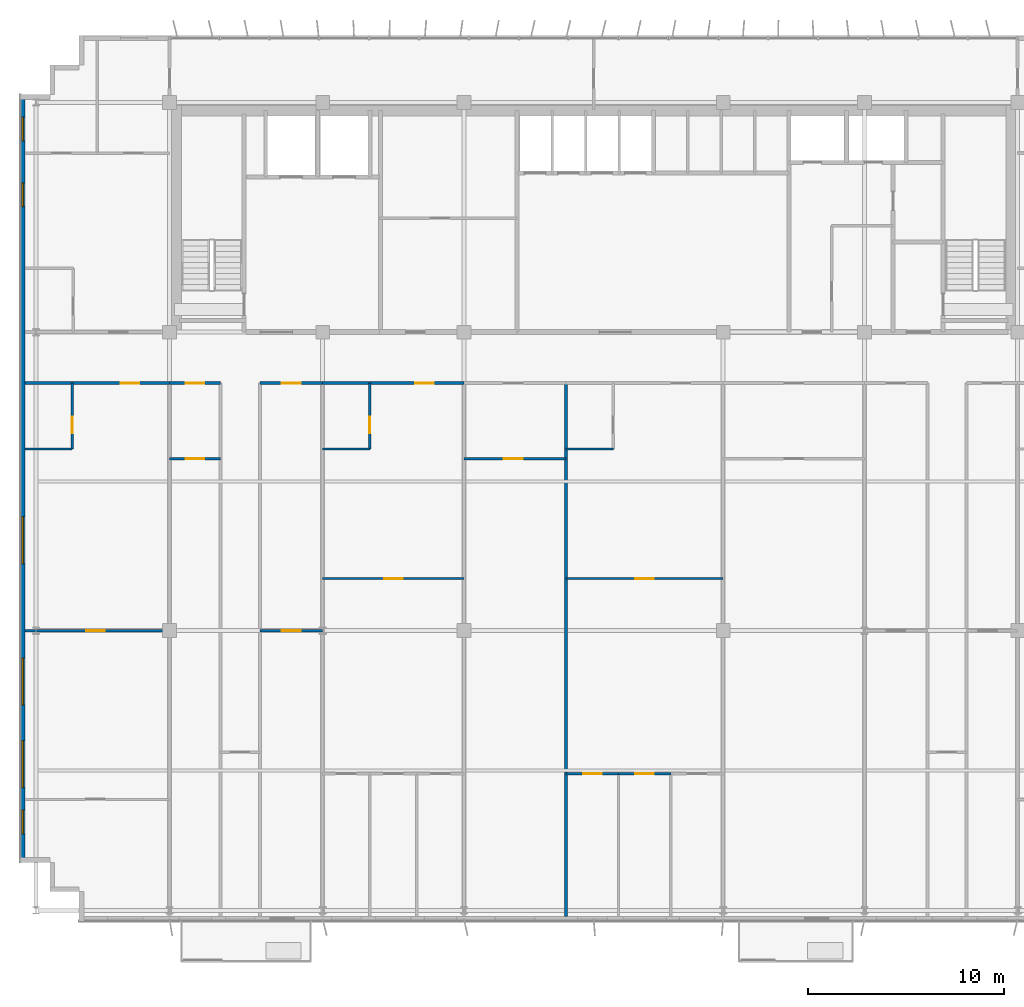
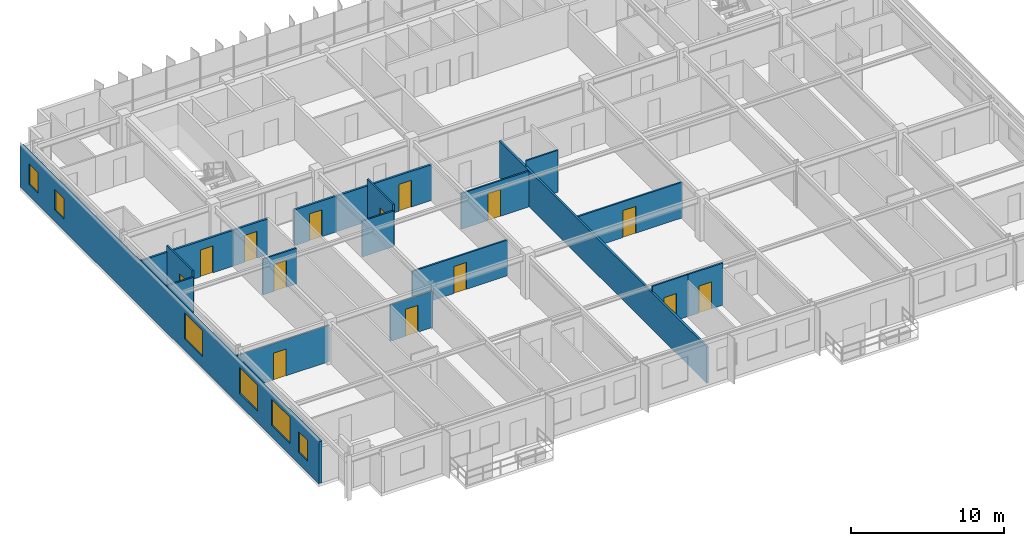
# One storey, part 17 of 23: 19 walls, 14 doors, 6 windows, 20 openings.
"""IFC4 building model written with IfcOpenShell, lengths in metres."""

from ifc_helpers import new_model, si_unit, direction, frame, frame_2d, origin, place, context, subcontext, project, spatial, rectangle, extrude, source, transform, mapped, material, layer, layer_set, type_object, element, fill, save


model = new_model("IFC4")

# Units and contexts
model_context = context("Model", 3, precision=1e-05, world=origin(), true_north=direction((0.0, 1.0)))
body_context = subcontext(model_context, "Body", "Model", "MODEL_VIEW")
ifc_project = project(units=[si_unit("LENGTHUNIT", "METRE"), si_unit("AREAUNIT", "SQUARE_METRE"), si_unit("VOLUMEUNIT", "CUBIC_METRE"), si_unit("PLANEANGLEUNIT", "RADIAN"), si_unit("MASSUNIT", "GRAM", prefix="KILO")], contexts=[model_context])

# Site, building, storey
site_placement = place(None, origin())
site = spatial("IfcSite", under=ifc_project, at=site_placement, CompositionType="ELEMENT")
building_placement = place(site_placement, origin())
building = spatial("IfcBuilding", under=site, at=building_placement, Name="Trelvane Seafront Commons", CompositionType="ELEMENT")
storey_placement = place(building_placement, frame((0.0, 0.0, 212.10009765625)))
storey = spatial("IfcBuildingStorey", under=building, at=storey_placement, Name="L55", CompositionType="ELEMENT", Elevation=212.10009765625)

# Wall, openings, windows
ifc_material_1 = material(Name="Precast concrete C40/50", Category="concrete")
ifc_layer_1 = layer(ifc_material_1, 0.239990234375, Name="ARCH-WALL-EXT240")
ifc_layer_set_1 = layer_set([ifc_layer_1], Name="Precast concrete C40/50")
wall_type_1 = type_object("IfcWallType", Name="ARCH-WALL-EXT240", PredefinedType="SOLIDWALL", material=ifc_layer_set_1)
wall_1_placement = place(storey_placement, frame((8.1201171875, 6.39990234375, 0.0), z_axis=(0.0, 0.0, 1.0), x_axis=(0.0, 1.0, 0.0)))
wall_1 = element("IfcWall", 1, at=wall_1_placement, inside=storey, type_object=wall_type_1, Name="EW-L55-01104", PredefinedType="SOLIDWALL", context=body_context, shape_type="SweptSolid", body=[
    extrude(rectangle(XDim=39.10009765625, YDim=0.239990234375, at=frame_2d((19.550048828125, 0.0))), origin(), (0.0, 0.0, 1.0), 3.35986328125),
])
opening_1_placement = place(wall_1_placement, frame((1.449951171875, 0.0, 0.919921875)))
opening_1 = element("IfcOpeningElement", 2, at=opening_1_placement, cuts=wall_1, Name="Opening W05", PredefinedType="OPENING", context=body_context, shape_type="SweptSolid", body=[
    extrude(rectangle(XDim=1.199951171875, YDim=1.64990234375, at=frame_2d((0.60009765625, 0.824951171875))), frame((0.0, 0.1298828125, 0.0), z_axis=(0.0, -1.0, 0.0), x_axis=(1.0, 0.0, 0.0)), (0.0, 0.0, 1.0), 0.260009765625),
])
opening_2_placement = place(wall_1_placement, frame((3.800048828125, 0.0, 0.919921875)))
opening_2 = element("IfcOpeningElement", 3, at=opening_2_placement, cuts=wall_1, Name="Opening W08", PredefinedType="OPENING", context=body_context, shape_type="SweptSolid", body=[
    extrude(rectangle(XDim=2.39990234375, YDim=2.10009765625, at=frame_2d((1.199951171875, 1.050048828125))), frame((0.0, 0.1298828125, 0.0), z_axis=(0.0, -1.0, 0.0), x_axis=(1.0, 0.0, 0.0)), (0.0, 0.0, 1.0), 0.260009765625),
])
opening_3_placement = place(wall_1_placement, frame((8.0, 0.0, 0.919921875)))
opening_3 = element("IfcOpeningElement", 4, at=opening_3_placement, cuts=wall_1, Name="Opening W08", PredefinedType="OPENING", context=body_context, shape_type="SweptSolid", body=[
    extrude(rectangle(XDim=2.39990234375, YDim=2.10009765625, at=frame_2d((1.199951171875, 1.050048828125))), frame((0.0, 0.1298828125, 0.0), z_axis=(0.0, -1.0, 0.0), x_axis=(1.0, 0.0, 0.0)), (0.0, 0.0, 1.0), 0.260009765625),
])
opening_4_placement = place(wall_1_placement, frame((15.199951171875, 0.0, 0.919921875)))
opening_4 = element("IfcOpeningElement", 5, at=opening_4_placement, cuts=wall_1, Name="Opening W08", PredefinedType="OPENING", context=body_context, shape_type="SweptSolid", body=[
    extrude(rectangle(XDim=2.39990234375, YDim=2.10009765625, at=frame_2d((1.199951171875, 1.050048828125))), frame((0.0, 0.1298828125, 0.0), z_axis=(0.0, -1.0, 0.0), x_axis=(1.0, 0.0, 0.0)), (0.0, 0.0, 1.0), 0.260009765625),
])
opening_5_placement = place(wall_1_placement, frame((33.39990234375, 0.0, 0.919921875)))
opening_5 = element("IfcOpeningElement", 6, at=opening_5_placement, cuts=wall_1, Name="Opening W05", PredefinedType="OPENING", context=body_context, shape_type="SweptSolid", body=[
    extrude(rectangle(XDim=1.199951171875, YDim=1.64990234375, at=frame_2d((0.60009765625, 0.824951171875))), frame((0.0, 0.1298828125, 0.0), z_axis=(0.0, -1.0, 0.0), x_axis=(1.0, 0.0, 0.0)), (0.0, 0.0, 1.0), 0.260009765625),
])
opening_6_placement = place(wall_1_placement, frame((36.75, 0.0, 0.919921875)))
opening_6 = element("IfcOpeningElement", 7, at=opening_6_placement, cuts=wall_1, Name="Opening W05", PredefinedType="OPENING", context=body_context, shape_type="SweptSolid", body=[
    extrude(rectangle(XDim=1.199951171875, YDim=1.64990234375, at=frame_2d((0.60009765625, 0.824951171875))), frame((0.0, 0.1298828125, 0.0), z_axis=(0.0, -1.0, 0.0), x_axis=(1.0, 0.0, 0.0)), (0.0, 0.0, 1.0), 0.260009765625),
])
ifc_material_2 = material(Name="Low-E coastal double glazing", Category="glass")
window_type_1 = type_object("IfcWindowType", Name="ARCH-WIN-W08", PartitioningType="SINGLE_PANEL", PredefinedType="WINDOW", material=ifc_material_2)
shared_shape_1 = source(origin(), body_context, "Body", "SweptSolid", [
    extrude(rectangle(XDim=2.39990234375, YDim=2.10009765625, at=frame_2d((1.199951171875, 1.050048828125))), frame((0.0, 0.030029296875, 0.0), z_axis=(0.0, -1.0, 0.0), x_axis=(1.0, 0.0, 0.0)), (0.0, 0.0, 1.0), 0.06005859375),
])
window_1_placement = place(opening_2_placement, origin())
window_1 = element("IfcWindow", 8, at=window_1_placement, inside=storey, type_object=window_type_1, Name="WIN-L55-EW-01332", OverallHeight=2.10009765625, OverallWidth=2.39990234375, PartitioningType="SINGLE_PANEL", PredefinedType="WINDOW", context=body_context, shape_type="MappedRepresentation", body=[
    mapped(shared_shape_1, transform((0.0, 0.0, 0.0), x_axis=(1.0, 0.0, 0.0), y_axis=(0.0, 1.0, 0.0), z_axis=(0.0, 0.0, 1.0), scale=1.0)),
])
fill(opening_2, window_1)
window_2_placement = place(opening_3_placement, origin())
window_2 = element("IfcWindow", 9, at=window_2_placement, inside=storey, type_object=window_type_1, Name="WIN-L55-EW-01333", OverallHeight=2.10009765625, OverallWidth=2.39990234375, PartitioningType="SINGLE_PANEL", PredefinedType="WINDOW", context=body_context, shape_type="MappedRepresentation", body=[
    mapped(shared_shape_1, transform((0.0, 0.0, 0.0), x_axis=(1.0, 0.0, 0.0), y_axis=(0.0, 1.0, 0.0), z_axis=(0.0, 0.0, 1.0), scale=1.0)),
])
fill(opening_3, window_2)
window_3_placement = place(opening_4_placement, origin())
window_3 = element("IfcWindow", 10, at=window_3_placement, inside=storey, type_object=window_type_1, Name="WIN-L55-EW-01334", OverallHeight=2.10009765625, OverallWidth=2.39990234375, PartitioningType="SINGLE_PANEL", PredefinedType="WINDOW", context=body_context, shape_type="MappedRepresentation", body=[
    mapped(shared_shape_1, transform((0.0, 0.0, 0.0), x_axis=(1.0, 0.0, 0.0), y_axis=(0.0, 1.0, 0.0), z_axis=(0.0, 0.0, 1.0), scale=1.0)),
])
fill(opening_4, window_3)
window_type_2 = type_object("IfcWindowType", Name="ARCH-WIN-W05", PartitioningType="SINGLE_PANEL", PredefinedType="WINDOW", material=ifc_material_2)
shared_shape_2 = source(origin(), body_context, "Body", "SweptSolid", [
    extrude(rectangle(XDim=1.199951171875, YDim=1.64990234375, at=frame_2d((0.60009765625, 0.824951171875))), frame((0.0, 0.030029296875, 0.0), z_axis=(0.0, -1.0, 0.0), x_axis=(1.0, 0.0, 0.0)), (0.0, 0.0, 1.0), 0.06005859375),
])
window_4_placement = place(opening_1_placement, origin())
window_4 = element("IfcWindow", 11, at=window_4_placement, inside=storey, type_object=window_type_2, Name="WIN-L55-EW-01331", OverallHeight=1.64990234375, OverallWidth=1.199951171875, PartitioningType="SINGLE_PANEL", PredefinedType="WINDOW", context=body_context, shape_type="MappedRepresentation", body=[
    mapped(shared_shape_2, transform((0.0, 0.0, 0.0), x_axis=(1.0, 0.0, 0.0), y_axis=(0.0, 1.0, 0.0), z_axis=(0.0, 0.0, 1.0), scale=1.0)),
])
fill(opening_1, window_4)
window_5_placement = place(opening_5_placement, origin())
window_5 = element("IfcWindow", 12, at=window_5_placement, inside=storey, type_object=window_type_2, Name="WIN-L55-EW-01335", OverallHeight=1.64990234375, OverallWidth=1.199951171875, PartitioningType="SINGLE_PANEL", PredefinedType="WINDOW", context=body_context, shape_type="MappedRepresentation", body=[
    mapped(shared_shape_2, transform((0.0, 0.0, 0.0), x_axis=(1.0, 0.0, 0.0), y_axis=(0.0, 1.0, 0.0), z_axis=(0.0, 0.0, 1.0), scale=1.0)),
])
fill(opening_5, window_5)
window_6_placement = place(opening_6_placement, origin())
window_6 = element("IfcWindow", 13, at=window_6_placement, inside=storey, type_object=window_type_2, Name="WIN-L55-EW-01336", OverallHeight=1.64990234375, OverallWidth=1.199951171875, PartitioningType="SINGLE_PANEL", PredefinedType="WINDOW", context=body_context, shape_type="MappedRepresentation", body=[
    mapped(shared_shape_2, transform((0.0, 0.0, 0.0), x_axis=(1.0, 0.0, 0.0), y_axis=(0.0, 1.0, 0.0), z_axis=(0.0, 0.0, 1.0), scale=1.0)),
])
fill(opening_6, window_6)

# Wall, opening, door
ifc_material_3 = material(Name="Gypsum Drywall Acoustic Partition")
ifc_layer_2 = layer(ifc_material_3, 0.1201171875, Name="ARCH-WALL-PART120")
ifc_layer_set_2 = layer_set([ifc_layer_2], Name="Gypsum Drywall Acoustic Partition")
wall_type_2 = type_object("IfcWallType", Name="ARCH-WALL-PART120", PredefinedType="PARTITIONING", material=ifc_layer_set_2)
wall_2_placement = place(storey_placement, frame((8.239990234375, 18.199951171875, 0.0), z_axis=(0.0, 0.0, 1.0), x_axis=(1.0, 0.0, 0.0)))
wall_2 = element("IfcWall", 14, at=wall_2_placement, inside=storey, type_object=wall_type_2, Name="W-L55-U1-KL-058", PredefinedType="PARTITIONING", context=body_context, shape_type="SweptSolid", body=[
    extrude(rectangle(XDim=7.360107421875, YDim=0.1201171875, at=frame_2d((3.68017578125, 0.0))), origin(), (0.0, 0.0, 1.0), 2.909912109375),
])
opening_7_placement = place(wall_2_placement, frame((3.114013671875, 0.0, 0.0)))
opening_7 = element("IfcOpeningElement", 15, at=opening_7_placement, cuts=wall_2, Name="Opening D-L55-30", PredefinedType="OPENING", context=body_context, shape_type="SweptSolid", body=[
    extrude(rectangle(XDim=0.949951171875, YDim=2.14990234375, at=frame_2d((0.47509765625, 1.074951171875))), frame((0.0, 0.070068359375, 0.0), z_axis=(0.0, -1.0, 0.0), x_axis=(1.0, 0.0, 0.0)), (0.0, 0.0, 1.0), 0.14013671875),
])
ifc_material_4 = material(Name="Acoustic timber door leaf", Category="wood")
door_type_1 = type_object("IfcDoorType", Name="ARCH-DR-INT950", OperationType="NOTDEFINED", PredefinedType="DOOR", material=ifc_material_4)
shared_shape_3 = source(origin(), body_context, "Body", "SweptSolid", [
    extrude(rectangle(XDim=0.949951171875, YDim=2.14990234375, at=frame_2d((0.47509765625, 1.074951171875))), frame((0.0, 0.02490234375, 0.0), z_axis=(0.0, -1.0, 0.0), x_axis=(1.0, 0.0, 0.0)), (0.0, 0.0, 1.0), 0.050048828125),
])
door_1_placement = place(opening_7_placement, origin())
door_1 = element("IfcDoor", 16, at=door_1_placement, inside=storey, type_object=door_type_1, Name="L55 Door 30", OperationType="SINGLE_SWING_RIGHT", OverallHeight=2.14990234375, OverallWidth=0.949951171875, PredefinedType="DOOR", context=body_context, shape_type="MappedRepresentation", body=[
    mapped(shared_shape_3, transform((0.0, 0.0, 0.0), x_axis=(1.0, 0.0, 0.0), y_axis=(0.0, 1.0, 0.0), z_axis=(0.0, 0.0, 1.0), scale=1.0)),
])
fill(opening_7, door_1)

wall_3_placement = place(storey_placement, frame((10.639892578125, 27.449951171875, 0.0), z_axis=(0.0, 0.0, 1.0), x_axis=(0.0, 1.0, 0.0)))
wall_3 = element("IfcWall", 17, at=wall_3_placement, inside=storey, type_object=wall_type_2, Name="W-L55-U1-BE-059", PredefinedType="PARTITIONING", context=body_context, shape_type="SweptSolid", body=[
    extrude(rectangle(XDim=3.35009765625, YDim=0.1201171875, at=frame_2d((1.675048828125, 0.0))), origin(), (0.0, 0.0, 1.0), 3.35986328125),
])
opening_8_placement = place(wall_3_placement, frame((0.800048828125, 0.0, 0.0)))
opening_8 = element("IfcOpeningElement", 18, at=opening_8_placement, cuts=wall_3, Name="Opening D-L55-31", PredefinedType="OPENING", context=body_context, shape_type="SweptSolid", body=[
    extrude(rectangle(XDim=0.85009765625, YDim=2.10009765625, at=frame_2d((0.425048828125, 1.050048828125))), frame((0.0, 0.070068359375, 0.0), z_axis=(0.0, -1.0, 0.0), x_axis=(1.0, 0.0, 0.0)), (0.0, 0.0, 1.0), 0.14013671875),
])
door_type_2 = type_object("IfcDoorType", Name="ARCH-DR-INT850", OperationType="NOTDEFINED", PredefinedType="DOOR", material=ifc_material_4)
shared_shape_4 = source(origin(), body_context, "Body", "SweptSolid", [
    extrude(rectangle(XDim=0.85009765625, YDim=2.10009765625, at=frame_2d((0.425048828125, 1.050048828125))), frame((0.0, 0.02490234375, 0.0), z_axis=(0.0, -1.0, 0.0), x_axis=(1.0, 0.0, 0.0)), (0.0, 0.0, 1.0), 0.050048828125),
])
door_2_placement = place(opening_8_placement, origin())
door_2 = element("IfcDoor", 19, at=door_2_placement, inside=storey, type_object=door_type_2, Name="L55 Door 31", OperationType="SINGLE_SWING_LEFT", OverallHeight=2.10009765625, OverallWidth=0.85009765625, PredefinedType="DOOR", context=body_context, shape_type="MappedRepresentation", body=[
    mapped(shared_shape_4, transform((0.0, 0.0, 0.0), x_axis=(1.0, 0.0, 0.0), y_axis=(0.0, 1.0, 0.0), z_axis=(0.0, 0.0, 1.0), scale=1.0)),
])
fill(opening_8, door_2)

# Wall
wall_4_placement = place(storey_placement, frame((8.239990234375, 27.449951171875, 0.0), z_axis=(0.0, 0.0, 1.0), x_axis=(1.0, 0.0, 0.0)))
element("IfcWall", 20, at=wall_4_placement, inside=storey, type_object=wall_type_2, Name="W-L55-U1-BS-060", PredefinedType="PARTITIONING", context=body_context, shape_type="SweptSolid", body=[
    extrude(rectangle(XDim=2.39990234375, YDim=0.1201171875, at=frame_2d((1.199951171875, 0.0))), origin(), (0.0, 0.0, 1.0), 2.85986328125),
])

# Wall, opening, door
wall_5_placement = place(storey_placement, frame((15.60009765625, 26.949951171875, 0.0), z_axis=(0.0, 0.0, 1.0), x_axis=(1.0, 0.0, 0.0)))
wall_5 = element("IfcWall", 21, at=wall_5_placement, inside=storey, type_object=wall_type_2, Name="W-L55-U2-DIV-064", PredefinedType="PARTITIONING", context=body_context, shape_type="SweptSolid", body=[
    extrude(rectangle(XDim=2.599853515625, YDim=0.1201171875, at=frame_2d((1.2998046875, 0.0))), origin(), (0.0, 0.0, 1.0), 2.85986328125),
])
opening_9_placement = place(wall_5_placement, frame((0.824951171875, 0.0, 0.0)))
opening_9 = element("IfcOpeningElement", 22, at=opening_9_placement, cuts=wall_5, Name="Opening D-L55-35", PredefinedType="OPENING", context=body_context, shape_type="SweptSolid", body=[
    extrude(rectangle(XDim=0.949951171875, YDim=2.14990234375, at=frame_2d((0.47509765625, 1.074951171875))), frame((0.0, 0.070068359375, 0.0), z_axis=(0.0, -1.0, 0.0), x_axis=(1.0, 0.0, 0.0)), (0.0, 0.0, 1.0), 0.14013671875),
])
door_3_placement = place(opening_9_placement, origin())
door_3 = element("IfcDoor", 23, at=door_3_placement, inside=storey, type_object=door_type_1, Name="L55 Door 35", OperationType="SINGLE_SWING_LEFT", OverallHeight=2.14990234375, OverallWidth=0.949951171875, PredefinedType="DOOR", context=body_context, shape_type="MappedRepresentation", body=[
    mapped(shared_shape_3, transform((0.0, 0.0, 0.0), x_axis=(1.0, 0.0, 0.0), y_axis=(0.0, 1.0, 0.0), z_axis=(0.0, 0.0, 1.0), scale=1.0)),
])
fill(opening_9, door_3)

wall_6_placement = place(storey_placement, frame((20.199951171875, 18.199951171875, 0.0), z_axis=(0.0, 0.0, 1.0), x_axis=(1.0, 0.0, 0.0)))
wall_6 = element("IfcWall", 24, at=wall_6_placement, inside=storey, type_object=wall_type_2, Name="W-L55-U4-DIV-069", PredefinedType="PARTITIONING", context=body_context, shape_type="SweptSolid", body=[
    extrude(rectangle(XDim=3.199951171875, YDim=0.1201171875, at=frame_2d((1.60009765625, 0.0))), origin(), (0.0, 0.0, 1.0), 2.909912109375),
])
opening_10_placement = place(wall_6_placement, frame((1.125, 0.0, 0.0)))
opening_10 = element("IfcOpeningElement", 25, at=opening_10_placement, cuts=wall_6, Name="Opening D-L55-38", PredefinedType="OPENING", context=body_context, shape_type="SweptSolid", body=[
    extrude(rectangle(XDim=0.949951171875, YDim=2.14990234375, at=frame_2d((0.47509765625, 1.074951171875))), frame((0.0, 0.070068359375, 0.0), z_axis=(0.0, -1.0, 0.0), x_axis=(1.0, 0.0, 0.0)), (0.0, 0.0, 1.0), 0.14013671875),
])
door_4_placement = place(opening_10_placement, origin())
door_4 = element("IfcDoor", 26, at=door_4_placement, inside=storey, type_object=door_type_1, Name="L55 Door 38", OperationType="SINGLE_SWING_RIGHT", OverallHeight=2.14990234375, OverallWidth=0.949951171875, PredefinedType="DOOR", context=body_context, shape_type="MappedRepresentation", body=[
    mapped(shared_shape_3, transform((0.0, 0.0, 0.0), x_axis=(1.0, 0.0, 0.0), y_axis=(0.0, 1.0, 0.0), z_axis=(0.0, 0.0, 1.0), scale=1.0)),
])
fill(opening_10, door_4)

wall_7_placement = place(storey_placement, frame((23.39990234375, 20.85009765625, 0.0), z_axis=(0.0, 0.0, 1.0), x_axis=(1.0, 0.0, 0.0)))
wall_7 = element("IfcWall", 27, at=wall_7_placement, inside=storey, type_object=wall_type_2, Name="W-L55-U5-KL-070", PredefinedType="PARTITIONING", context=body_context, shape_type="SweptSolid", body=[
    extrude(rectangle(XDim=7.2001953125, YDim=0.1201171875, at=frame_2d((3.60009765625, 0.0))), origin(), (0.0, 0.0, 1.0), 2.85986328125),
])
opening_11_placement = place(wall_7_placement, frame((3.125, 0.0, 0.0)))
opening_11 = element("IfcOpeningElement", 28, at=opening_11_placement, cuts=wall_7, Name="Opening D-L55-39", PredefinedType="OPENING", context=body_context, shape_type="SweptSolid", body=[
    extrude(rectangle(XDim=0.949951171875, YDim=2.14990234375, at=frame_2d((0.47509765625, 1.074951171875))), frame((0.0, 0.070068359375, 0.0), z_axis=(0.0, -1.0, 0.0), x_axis=(1.0, 0.0, 0.0)), (0.0, 0.0, 1.0), 0.14013671875),
])
door_5_placement = place(opening_11_placement, origin())
door_5 = element("IfcDoor", 29, at=door_5_placement, inside=storey, type_object=door_type_1, Name="L55 Door 39", OperationType="SINGLE_SWING_LEFT", OverallHeight=2.14990234375, OverallWidth=0.949951171875, PredefinedType="DOOR", context=body_context, shape_type="MappedRepresentation", body=[
    mapped(shared_shape_3, transform((0.0, 0.0, 0.0), x_axis=(1.0, 0.0, 0.0), y_axis=(0.0, 1.0, 0.0), z_axis=(0.0, 0.0, 1.0), scale=1.0)),
])
fill(opening_11, door_5)

wall_8_placement = place(storey_placement, frame((25.800048828125, 27.449951171875, 0.0), z_axis=(0.0, 0.0, 1.0), x_axis=(0.0, 1.0, 0.0)))
wall_8 = element("IfcWall", 30, at=wall_8_placement, inside=storey, type_object=wall_type_2, Name="W-L55-U5-BE-071", PredefinedType="PARTITIONING", context=body_context, shape_type="SweptSolid", body=[
    extrude(rectangle(XDim=3.35009765625, YDim=0.1201171875, at=frame_2d((1.675048828125, 0.0))), origin(), (0.0, 0.0, 1.0), 3.35986328125),
])
opening_12_placement = place(wall_8_placement, frame((0.800048828125, 0.0, 0.0)))
opening_12 = element("IfcOpeningElement", 31, at=opening_12_placement, cuts=wall_8, Name="Opening D-L55-40", PredefinedType="OPENING", context=body_context, shape_type="SweptSolid", body=[
    extrude(rectangle(XDim=0.85009765625, YDim=2.10009765625, at=frame_2d((0.425048828125, 1.050048828125))), frame((0.0, 0.070068359375, 0.0), z_axis=(0.0, -1.0, 0.0), x_axis=(1.0, 0.0, 0.0)), (0.0, 0.0, 1.0), 0.14013671875),
])
door_6_placement = place(opening_12_placement, origin())
door_6 = element("IfcDoor", 32, at=door_6_placement, inside=storey, type_object=door_type_2, Name="L55 Door 40", OperationType="SINGLE_SWING_RIGHT", OverallHeight=2.10009765625, OverallWidth=0.85009765625, PredefinedType="DOOR", context=body_context, shape_type="MappedRepresentation", body=[
    mapped(shared_shape_4, transform((0.0, 0.0, 0.0), x_axis=(1.0, 0.0, 0.0), y_axis=(0.0, 1.0, 0.0), z_axis=(0.0, 0.0, 1.0), scale=1.0)),
])
fill(opening_12, door_6)

# Wall
wall_9_placement = place(storey_placement, frame((23.39990234375, 27.449951171875, 0.0), z_axis=(0.0, 0.0, 1.0), x_axis=(1.0, 0.0, 0.0)))
element("IfcWall", 33, at=wall_9_placement, inside=storey, type_object=wall_type_2, Name="W-L55-U5-BS-072", PredefinedType="PARTITIONING", context=body_context, shape_type="SweptSolid", body=[
    extrude(rectangle(XDim=2.400146484375, YDim=0.1201171875, at=frame_2d((1.2001953125, 0.0))), origin(), (0.0, 0.0, 1.0), 2.85986328125),
])

# Wall, opening, door
wall_10_placement = place(storey_placement, frame((30.60009765625, 26.949951171875, 0.0), z_axis=(0.0, 0.0, 1.0), x_axis=(1.0, 0.0, 0.0)))
wall_10 = element("IfcWall", 34, at=wall_10_placement, inside=storey, type_object=wall_type_2, Name="W-L55-U6-DIV-080", PredefinedType="PARTITIONING", context=body_context, shape_type="SweptSolid", body=[
    extrude(rectangle(XDim=5.199951171875, YDim=0.1201171875, at=frame_2d((2.60009765625, 0.0))), origin(), (0.0, 0.0, 1.0), 2.85986328125),
])
opening_13_placement = place(wall_10_placement, frame((2.032958984375, 0.0, 0.0)))
opening_13 = element("IfcOpeningElement", 35, at=opening_13_placement, cuts=wall_10, Name="Opening D-L55-46", PredefinedType="OPENING", context=body_context, shape_type="SweptSolid", body=[
    extrude(rectangle(XDim=0.949951171875, YDim=2.14990234375, at=frame_2d((0.47509765625, 1.074951171875))), frame((0.0, 0.070068359375, 0.0), z_axis=(0.0, -1.0, 0.0), x_axis=(1.0, 0.0, 0.0)), (0.0, 0.0, 1.0), 0.14013671875),
])
door_7_placement = place(opening_13_placement, origin())
door_7 = element("IfcDoor", 36, at=door_7_placement, inside=storey, type_object=door_type_1, Name="L55 Door 46", OperationType="SINGLE_SWING_RIGHT", OverallHeight=2.14990234375, OverallWidth=0.949951171875, PredefinedType="DOOR", context=body_context, shape_type="MappedRepresentation", body=[
    mapped(shared_shape_3, transform((0.0, 0.0, 0.0), x_axis=(1.0, 0.0, 0.0), y_axis=(0.0, 1.0, 0.0), z_axis=(0.0, 0.0, 1.0), scale=1.0)),
])
fill(opening_13, door_7)

wall_11_placement = place(storey_placement, frame((35.800048828125, 20.85009765625, 0.0), z_axis=(0.0, 0.0, 1.0), x_axis=(1.0, 0.0, 0.0)))
wall_11 = element("IfcWall", 37, at=wall_11_placement, inside=storey, type_object=wall_type_2, Name="W-L55-U7-KL-081", PredefinedType="PARTITIONING", context=body_context, shape_type="SweptSolid", body=[
    extrude(rectangle(XDim=8.0, YDim=0.1201171875, at=frame_2d((4.0, 0.0))), origin(), (0.0, 0.0, 1.0), 2.85986328125),
])
opening_14_placement = place(wall_11_placement, frame((3.52490234375, 0.0, 0.0)))
opening_14 = element("IfcOpeningElement", 38, at=opening_14_placement, cuts=wall_11, Name="Opening D-L55-47", PredefinedType="OPENING", context=body_context, shape_type="SweptSolid", body=[
    extrude(rectangle(XDim=0.949951171875, YDim=2.14990234375, at=frame_2d((0.47509765625, 1.074951171875))), frame((0.0, 0.070068359375, 0.0), z_axis=(0.0, -1.0, 0.0), x_axis=(1.0, 0.0, 0.0)), (0.0, 0.0, 1.0), 0.14013671875),
])
door_8_placement = place(opening_14_placement, origin())
door_8 = element("IfcDoor", 39, at=door_8_placement, inside=storey, type_object=door_type_1, Name="L55 Door 47", OperationType="SINGLE_SWING_LEFT", OverallHeight=2.14990234375, OverallWidth=0.949951171875, PredefinedType="DOOR", context=body_context, shape_type="MappedRepresentation", body=[
    mapped(shared_shape_3, transform((0.0, 0.0, 0.0), x_axis=(1.0, 0.0, 0.0), y_axis=(0.0, 1.0, 0.0), z_axis=(0.0, 0.0, 1.0), scale=1.0)),
])
fill(opening_14, door_8)

# Wall
wall_12_placement = place(storey_placement, frame((35.800048828125, 27.449951171875, 0.0), z_axis=(0.0, 0.0, 1.0), x_axis=(1.0, 0.0, 0.0)))
element("IfcWall", 40, at=wall_12_placement, inside=storey, type_object=wall_type_2, Name="W-L55-U7-BS-083", PredefinedType="PARTITIONING", context=body_context, shape_type="SweptSolid", body=[
    extrude(rectangle(XDim=2.39990234375, YDim=0.1201171875, at=frame_2d((1.199951171875, 0.0))), origin(), (0.0, 0.0, 1.0), 3.35986328125),
])

# Wall, opening, door
wall_13_placement = place(storey_placement, frame((35.800048828125, 10.89990234375, 0.0), z_axis=(0.0, 0.0, 1.0), x_axis=(1.0, 0.0, 0.0)))
wall_13 = element("IfcWall", 41, at=wall_13_placement, inside=storey, type_object=wall_type_2, Name="W-L55-U7-YM-1-085", PredefinedType="PARTITIONING", context=body_context, shape_type="SweptSolid", body=[
    extrude(rectangle(XDim=2.6669921875, YDim=0.1201171875, at=frame_2d((1.33349609375, 0.0))), origin(), (0.0, 0.0, 1.0), 3.35986328125),
])
opening_15_placement = place(wall_13_placement, frame((0.85888671875, 0.0, 0.0)))
opening_15 = element("IfcOpeningElement", 42, at=opening_15_placement, cuts=wall_13, Name="Opening D-L55-50", PredefinedType="OPENING", context=body_context, shape_type="SweptSolid", body=[
    extrude(rectangle(XDim=0.949951171875, YDim=2.14990234375, at=frame_2d((0.47509765625, 1.074951171875))), frame((0.0, 0.070068359375, 0.0), z_axis=(0.0, -1.0, 0.0), x_axis=(1.0, 0.0, 0.0)), (0.0, 0.0, 1.0), 0.14013671875),
])
door_9_placement = place(opening_15_placement, origin())
door_9 = element("IfcDoor", 43, at=door_9_placement, inside=storey, type_object=door_type_1, Name="L55 Door 50", OperationType="SINGLE_SWING_RIGHT", OverallHeight=2.14990234375, OverallWidth=0.949951171875, PredefinedType="DOOR", context=body_context, shape_type="MappedRepresentation", body=[
    mapped(shared_shape_3, transform((0.0, 0.0, 0.0), x_axis=(1.0, 0.0, 0.0), y_axis=(0.0, 1.0, 0.0), z_axis=(0.0, 0.0, 1.0), scale=1.0)),
])
fill(opening_15, door_9)

wall_14_placement = place(storey_placement, frame((38.467041015625, 10.89990234375, 0.0), z_axis=(0.0, 0.0, 1.0), x_axis=(1.0, 0.0, 0.0)))
wall_14 = element("IfcWall", 44, at=wall_14_placement, inside=storey, type_object=wall_type_2, Name="W-L55-U7-YM-2-086", PredefinedType="PARTITIONING", context=body_context, shape_type="SweptSolid", body=[
    extrude(rectangle(XDim=2.666015625, YDim=0.1201171875, at=frame_2d((1.3330078125, 0.0))), origin(), (0.0, 0.0, 1.0), 3.35986328125),
])
opening_16_placement = place(wall_14_placement, frame((0.85791015625, 0.0, 0.0)))
opening_16 = element("IfcOpeningElement", 45, at=opening_16_placement, cuts=wall_14, Name="Opening D-L55-51", PredefinedType="OPENING", context=body_context, shape_type="SweptSolid", body=[
    extrude(rectangle(XDim=0.949951171875, YDim=2.14990234375, at=frame_2d((0.47509765625, 1.074951171875))), frame((0.0, 0.070068359375, 0.0), z_axis=(0.0, -1.0, 0.0), x_axis=(1.0, 0.0, 0.0)), (0.0, 0.0, 1.0), 0.14013671875),
])
door_10_placement = place(opening_16_placement, origin())
door_10 = element("IfcDoor", 46, at=door_10_placement, inside=storey, type_object=door_type_1, Name="L55 Door 51", OperationType="SINGLE_SWING_LEFT", OverallHeight=2.14990234375, OverallWidth=0.949951171875, PredefinedType="DOOR", context=body_context, shape_type="MappedRepresentation", body=[
    mapped(shared_shape_3, transform((0.0, 0.0, 0.0), x_axis=(1.0, 0.0, 0.0), y_axis=(0.0, 1.0, 0.0), z_axis=(0.0, 0.0, 1.0), scale=1.0)),
])
fill(opening_16, door_10)

# Wall
ifc_layer_3 = layer(ifc_material_3, 0.14990234375, Name="ARCH-WALL-PART150")
ifc_layer_set_3 = layer_set([ifc_layer_3], Name="Gypsum Drywall Acoustic Partition")
wall_type_3 = type_object("IfcWallType", Name="ARCH-WALL-PART150", PredefinedType="PARTITIONING", material=ifc_layer_set_3)
wall_15_placement = place(storey_placement, frame((35.800048828125, 3.625, 0.0), z_axis=(0.0, 0.0, 1.0), x_axis=(0.0, 1.0, 0.0)))
element("IfcWall", 47, at=wall_15_placement, inside=storey, type_object=wall_type_3, Name="W-L55-PW-6-054", PredefinedType="PARTITIONING", context=body_context, shape_type="SweptSolid", body=[
    extrude(rectangle(XDim=27.175048828125, YDim=0.14990234375, at=frame_2d((13.58740234375, 0.0))), origin(), (0.0, 0.0, 1.0), 2.909912109375),
])

# Wall, opening, door
wall_16_placement = place(storey_placement, frame((8.22509765625, 30.800048828125, 0.0), z_axis=(0.0, 0.0, 1.0), x_axis=(1.0, 0.0, 0.0)))
wall_16 = element("IfcWall", 48, at=wall_16_placement, inside=storey, type_object=wall_type_3, Name="W-L55-CS-BAY-1-061", PredefinedType="PARTITIONING", context=body_context, shape_type="SweptSolid", body=[
    extrude(rectangle(XDim=7.375, YDim=0.14990234375, at=frame_2d((3.6875, 0.0))), origin(), (0.0, 0.0, 1.0), 2.85986328125),
])
opening_17_placement = place(wall_16_placement, frame((4.876953125, 0.0, 0.0)))
opening_17 = element("IfcOpeningElement", 49, at=opening_17_placement, cuts=wall_16, Name="Opening FD-L55-32", PredefinedType="OPENING", context=body_context, shape_type="SweptSolid", body=[
    extrude(rectangle(XDim=0.949951171875, YDim=2.14990234375, at=frame_2d((0.47509765625, 1.074951171875))), frame((0.0, 0.0849609375, 0.0), z_axis=(0.0, -1.0, 0.0), x_axis=(1.0, 0.0, 0.0)), (0.0, 0.0, 1.0), 0.169921875),
])
ifc_material_5 = material(Name="Powder-coated aluminium frame", Category="aluminium")
door_type_3 = type_object("IfcDoorType", Name="ARCH-DR-FD60-950", OperationType="NOTDEFINED", PredefinedType="DOOR", material=ifc_material_5)
door_11_placement = place(opening_17_placement, origin())
door_11 = element("IfcDoor", 50, at=door_11_placement, inside=storey, type_object=door_type_3, Name="L55 Unit 01 Entrance Door", OperationType="SINGLE_SWING_RIGHT", OverallHeight=2.14990234375, OverallWidth=0.949951171875, PredefinedType="DOOR", context=body_context, shape_type="MappedRepresentation", body=[
    mapped(shared_shape_3, transform((0.0, 0.0, 0.0), x_axis=(1.0, 0.0, 0.0), y_axis=(0.0, 1.0, 0.0), z_axis=(0.0, 0.0, 1.0), scale=1.0)),
])
fill(opening_17, door_11)

wall_17_placement = place(storey_placement, frame((15.60009765625, 30.800048828125, 0.0), z_axis=(0.0, 0.0, 1.0), x_axis=(1.0, 0.0, 0.0)))
wall_17 = element("IfcWall", 51, at=wall_17_placement, inside=storey, type_object=wall_type_3, Name="W-L55-CS-BAY-2-063", PredefinedType="PARTITIONING", context=body_context, shape_type="SweptSolid", body=[
    extrude(rectangle(XDim=2.599853515625, YDim=0.14990234375, at=frame_2d((1.2998046875, 0.0))), origin(), (0.0, 0.0, 1.0), 2.85986328125),
])
opening_18_placement = place(wall_17_placement, frame((0.824951171875, 0.0, 0.0)))
opening_18 = element("IfcOpeningElement", 52, at=opening_18_placement, cuts=wall_17, Name="Opening FD-L55-34", PredefinedType="OPENING", context=body_context, shape_type="SweptSolid", body=[
    extrude(rectangle(XDim=0.949951171875, YDim=2.14990234375, at=frame_2d((0.47509765625, 1.074951171875))), frame((0.0, 0.0849609375, 0.0), z_axis=(0.0, -1.0, 0.0), x_axis=(1.0, 0.0, 0.0)), (0.0, 0.0, 1.0), 0.169921875),
])
door_12_placement = place(opening_18_placement, origin())
door_12 = element("IfcDoor", 53, at=door_12_placement, inside=storey, type_object=door_type_3, Name="L55 Bay 02 Entrance Door", OperationType="SINGLE_SWING_RIGHT", OverallHeight=2.14990234375, OverallWidth=0.949951171875, PredefinedType="DOOR", context=body_context, shape_type="MappedRepresentation", body=[
    mapped(shared_shape_3, transform((0.0, 0.0, 0.0), x_axis=(1.0, 0.0, 0.0), y_axis=(0.0, 1.0, 0.0), z_axis=(0.0, 0.0, 1.0), scale=1.0)),
])
fill(opening_18, door_12)

wall_18_placement = place(storey_placement, frame((20.199951171875, 30.800048828125, 0.0), z_axis=(0.0, 0.0, 1.0), x_axis=(1.0, 0.0, 0.0)))
wall_18 = element("IfcWall", 54, at=wall_18_placement, inside=storey, type_object=wall_type_3, Name="W-L55-CS-BAY-4-068", PredefinedType="PARTITIONING", context=body_context, shape_type="SweptSolid", body=[
    extrude(rectangle(XDim=3.199951171875, YDim=0.14990234375, at=frame_2d((1.60009765625, 0.0))), origin(), (0.0, 0.0, 1.0), 2.85986328125),
])
opening_19_placement = place(wall_18_placement, frame((1.125, 0.0, 0.0)))
opening_19 = element("IfcOpeningElement", 55, at=opening_19_placement, cuts=wall_18, Name="Opening FD-L55-37", PredefinedType="OPENING", context=body_context, shape_type="SweptSolid", body=[
    extrude(rectangle(XDim=0.949951171875, YDim=2.14990234375, at=frame_2d((0.47509765625, 1.074951171875))), frame((0.0, 0.0849609375, 0.0), z_axis=(0.0, -1.0, 0.0), x_axis=(1.0, 0.0, 0.0)), (0.0, 0.0, 1.0), 0.169921875),
])
door_13_placement = place(opening_19_placement, origin())
door_13 = element("IfcDoor", 56, at=door_13_placement, inside=storey, type_object=door_type_3, Name="L55 Bay 04 Entrance Door", OperationType="SINGLE_SWING_LEFT", OverallHeight=2.14990234375, OverallWidth=0.949951171875, PredefinedType="DOOR", context=body_context, shape_type="MappedRepresentation", body=[
    mapped(shared_shape_3, transform((0.0, 0.0, 0.0), x_axis=(1.0, 0.0, 0.0), y_axis=(0.0, 1.0, 0.0), z_axis=(0.0, 0.0, 1.0), scale=1.0)),
])
fill(opening_19, door_13)

wall_19_placement = place(storey_placement, frame((23.39990234375, 30.800048828125, 0.0), z_axis=(0.0, 0.0, 1.0), x_axis=(1.0, 0.0, 0.0)))
wall_19 = element("IfcWall", 57, at=wall_19_placement, inside=storey, type_object=wall_type_3, Name="W-L55-CS-BAY-5-073", PredefinedType="PARTITIONING", context=body_context, shape_type="SweptSolid", body=[
    extrude(rectangle(XDim=7.2001953125, YDim=0.14990234375, at=frame_2d((3.60009765625, 0.0))), origin(), (0.0, 0.0, 1.0), 2.85986328125),
])
opening_20_placement = place(wall_19_placement, frame((4.7060546875, 0.0, 0.0)))
opening_20 = element("IfcOpeningElement", 58, at=opening_20_placement, cuts=wall_19, Name="Opening FD-L55-41", PredefinedType="OPENING", context=body_context, shape_type="SweptSolid", body=[
    extrude(rectangle(XDim=0.949951171875, YDim=2.14990234375, at=frame_2d((0.47509765625, 1.074951171875))), frame((0.0, 0.0849609375, 0.0), z_axis=(0.0, -1.0, 0.0), x_axis=(1.0, 0.0, 0.0)), (0.0, 0.0, 1.0), 0.169921875),
])
door_14_placement = place(opening_20_placement, origin())
door_14 = element("IfcDoor", 59, at=door_14_placement, inside=storey, type_object=door_type_3, Name="L55 Unit 05 Entrance Door", OperationType="SINGLE_SWING_LEFT", OverallHeight=2.14990234375, OverallWidth=0.949951171875, PredefinedType="DOOR", context=body_context, shape_type="MappedRepresentation", body=[
    mapped(shared_shape_3, transform((0.0, 0.0, 0.0), x_axis=(1.0, 0.0, 0.0), y_axis=(0.0, 1.0, 0.0), z_axis=(0.0, 0.0, 1.0), scale=1.0)),
])
fill(opening_20, door_14)

save(model, "model.ifc")
